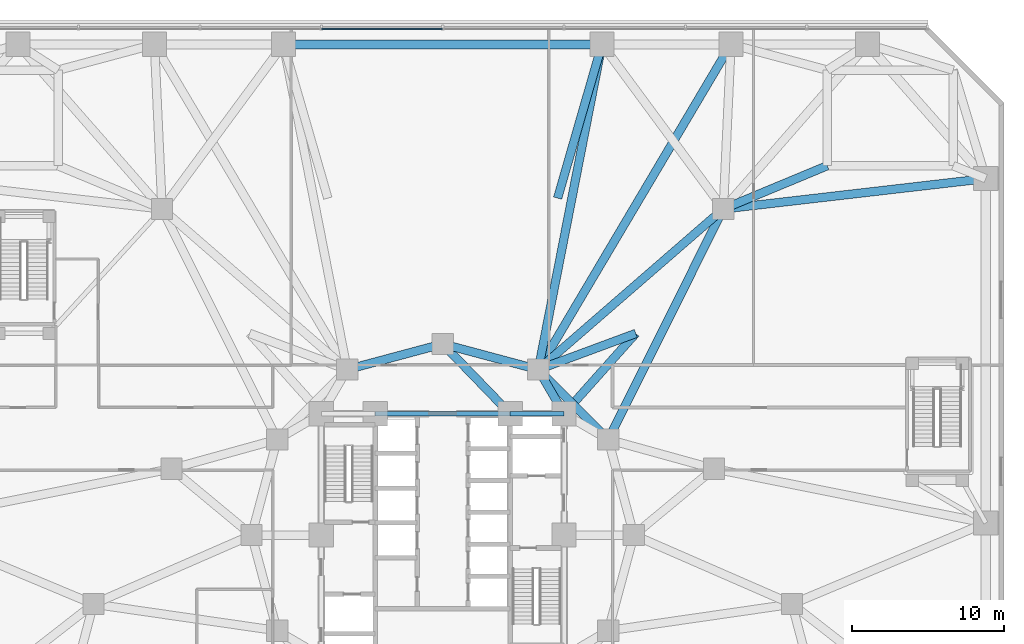
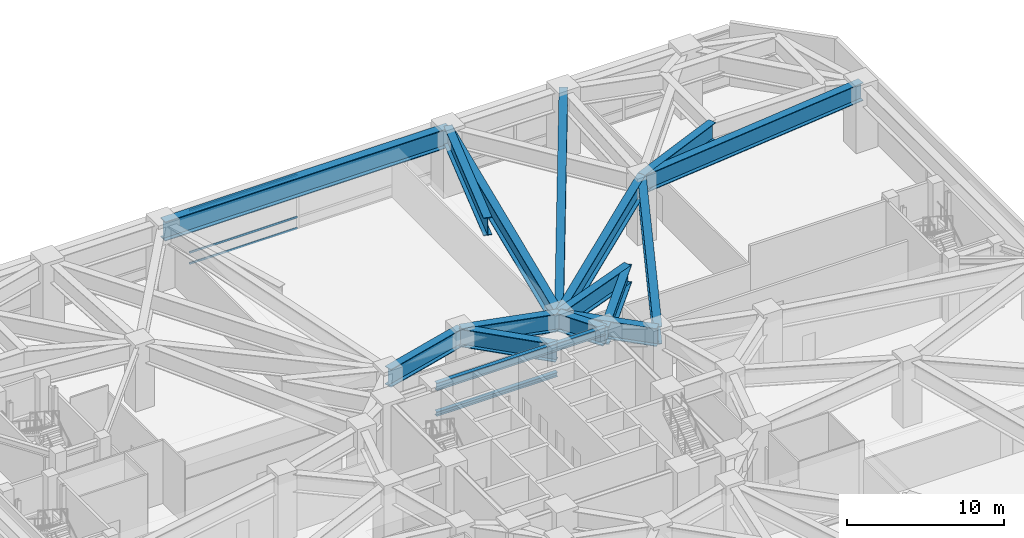
# One storey, part 10 of 27: 18 beams, 3 members, 1 element without a shape of its own.
"""IFC4 building model written with IfcOpenShell, lengths in metres."""

from ifc_helpers import new_model, si_unit, direction, frame, origin, origin_2d, place, context, subcontext, project, spatial, rectangle, i_section, extrude, material, layer, layer_set, material_profile, profile_set, type_object, element, aggregate, save


model = new_model("IFC4")

# Units and contexts
model_context = context("Model", 3, precision=1e-05, world=origin(), true_north=direction((0.0, 1.0)))
body_context = subcontext(model_context, "Body", "Model", "MODEL_VIEW")
ifc_project = project(units=[si_unit("LENGTHUNIT", "METRE"), si_unit("AREAUNIT", "SQUARE_METRE"), si_unit("VOLUMEUNIT", "CUBIC_METRE"), si_unit("PLANEANGLEUNIT", "RADIAN"), si_unit("MASSUNIT", "GRAM", prefix="KILO")], contexts=[model_context])

# Site, building, storey
site_placement = place(None, origin())
site = spatial("IfcSite", under=ifc_project, at=site_placement, CompositionType="ELEMENT")
building_placement = place(site_placement, origin())
building = spatial("IfcBuilding", under=site, at=building_placement, Name="Terralouvre Media Tower", CompositionType="ELEMENT")
storey_placement = place(building_placement, frame((0.0, 0.0, 20.800048828125)))
storey = spatial("IfcBuildingStorey", under=building, at=storey_placement, Name="L04", CompositionType="ELEMENT", Elevation=20.800048828125)

# Curtain wall, members
ifc_material_1 = material(Name="Low-iron laminated double glazing with solar-control coating", Category="glass")
ifc_layer = layer(ifc_material_1, 0.1650390625, Name="Podium Broadcast Gallery Glazing CW-01")
ifc_layer_set = layer_set([ifc_layer], Name="Low-iron laminated double glazing with solar-control coating")
curtain_wall_type = type_object("IfcCurtainWallType", Name="Podium Broadcast Gallery Glazing CW-01", PredefinedType="NOTDEFINED", material=ifc_layer_set)
curtain_wall_placement = place(storey_placement, origin())
curtain_wall = element("IfcCurtainWall", 1, at=curtain_wall_placement, inside=storey, type_object=curtain_wall_type, Name="L04 Podium Curtain Wall F4", PredefinedType="NOTDEFINED")
ifc_material_2 = material(Name="Anodised extruded aluminium 6063-T6", Category="aluminium")
ifc_material_profile_1 = material_profile(ifc_material_2, rectangle(XDim=0.074951171875, YDim=0.14990234375, at=origin_2d()), Name="ALU 75x150")
ifc_profile_set_1 = profile_set([ifc_material_profile_1], Name="Anodised extruded aluminium 6063-T6")
member_type = type_object("IfcMemberType", Name="Curtain-Wall Horizontal Transom TR-150", PredefinedType="USERDEFINED", material=ifc_profile_set_1)
member_1_placement = place(storey_placement, frame((-0.03759765625, 33.360107421875, 0.037353515625), z_axis=(-1.0, 0.0, 0.0), x_axis=(0.0, -1.0, 0.0)))
member_1 = element("IfcMember", 2, at=member_1_placement, type_object=member_type, Name="CW-01 transom 5.1", ObjectType="TRANSOM", PredefinedType="USERDEFINED", context=body_context, shape_type="SweptSolid", body=[
    extrude(rectangle(XDim=0.074951171875, YDim=0.14990234375, at=origin_2d()), origin(), (0.0, 0.0, 1.0), 7.9248046875),
])
member_2_placement = place(storey_placement, frame((-0.03759765625, 33.360107421875, 0.89990234375), z_axis=(-1.0, 0.0, 0.0), x_axis=(0.0, -1.0, 0.0)))
member_2 = element("IfcMember", 3, at=member_2_placement, type_object=member_type, Name="CW-01 transom 5.2", ObjectType="TRANSOM", PredefinedType="USERDEFINED", context=body_context, shape_type="SweptSolid", body=[
    extrude(rectangle(XDim=0.074951171875, YDim=0.14990234375, at=origin_2d()), origin(), (0.0, 0.0, 1.0), 7.9248046875),
])
member_3_placement = place(storey_placement, frame((-0.03759765625, 33.360107421875, 4.182373046875), z_axis=(-1.0, 0.0, 0.0), x_axis=(0.0, -1.0, 0.0)))
member_3 = element("IfcMember", 4, at=member_3_placement, type_object=member_type, Name="CW-01 transom 5.3", ObjectType="TRANSOM", PredefinedType="USERDEFINED", context=body_context, shape_type="SweptSolid", body=[
    extrude(rectangle(XDim=0.074951171875, YDim=0.14990234375, at=origin_2d()), origin(), (0.0, 0.0, 1.0), 7.9248046875),
])
aggregate(curtain_wall, [member_1, member_2, member_3])

# Beams
ifc_material_3 = material(Name="Structural steel S355J2", Category="steel")
ifc_material_profile_2 = material_profile(ifc_material_3, i_section(OverallWidth=0.300048828125, OverallDepth=0.340087890625, WebThickness=0.011962890625, FlangeThickness=0.021484375, at=origin_2d()), Name="HEB 340")
ifc_profile_set_2 = profile_set([ifc_material_profile_2], Name="Structural steel S355J2")
beam_type_1 = type_object("IfcBeamType", Name="Opening Lintel Beam LN-340H (HEB 340)", PredefinedType="LINTEL", material=ifc_profile_set_2)
beam_1_placement = place(storey_placement, frame((-4.449951171875, 8.0, 2.52001953125), z_axis=(1.0, 0.0, 0.0), x_axis=(0.0, 1.0, 0.0)))
element("IfcBeam", 5, at=beam_1_placement, inside=storey, type_object=beam_type_1, Name="L04 Core North Portal Lintel LN-07", PredefinedType="LINTEL", context=body_context, shape_type="SweptSolid", body=[
    extrude(i_section(OverallWidth=0.300048828125, OverallDepth=0.340087890625, WebThickness=0.011962890625, FlangeThickness=0.021484375, at=origin_2d()), origin(), (0.0, 0.0, 1.0), 8.89990234375),
])
ifc_material_4 = material(Name="Structural steel S460M", Category="steel")
ifc_material_profile_3 = material_profile(ifc_material_4, i_section(OverallWidth=0.300048828125, OverallDepth=0.60009765625, WebThickness=0.015380859375, FlangeThickness=0.030029296875, at=origin_2d()), Name="HEB 600")
ifc_profile_set_3 = profile_set([ifc_material_profile_3], Name="Structural steel S460M")
beam_type_2 = type_object("IfcBeamType", Name="Primary Floor Girder B-HEB600 (HEB 600)", PredefinedType="BEAM", material=ifc_profile_set_3)
beam_2_placement = place(storey_placement, frame((8.0, 8.0, 4.639892578125), z_axis=(-1.0, 0.0, 0.0), x_axis=(0.0, -1.0, 0.0)))
element("IfcBeam", 6, at=beam_2_placement, inside=storey, type_object=beam_type_2, Name="L04 Framing Beam BM-L04-CPR06", PredefinedType="BEAM", context=body_context, shape_type="SweptSolid", body=[
    extrude(i_section(OverallWidth=0.300048828125, OverallDepth=0.60009765625, WebThickness=0.015380859375, FlangeThickness=0.030029296875, at=origin_2d()), origin(), (0.0, 0.0, 1.0), 3.550048828125),
])
beam_3_placement = place(storey_placement, frame((4.449951171875, 8.0, 4.639892578125), z_axis=(-1.0, 0.0, 0.0), x_axis=(0.0, -1.0, 0.0)))
element("IfcBeam", 7, at=beam_3_placement, inside=storey, type_object=beam_type_2, Name="L04 Framing Beam BM-L04-CPR07", PredefinedType="BEAM", context=body_context, shape_type="SweptSolid", body=[
    extrude(i_section(OverallWidth=0.300048828125, OverallDepth=0.60009765625, WebThickness=0.015380859375, FlangeThickness=0.030029296875, at=origin_2d()), origin(), (0.0, 0.0, 1.0), 8.89990234375),
])
ifc_material_5 = material(Name="Structural steel S460M", Category="steel")
ifc_material_profile_4 = material_profile(ifc_material_5, i_section(OverallWidth=0.56005859375, OverallDepth=1.39990234375, WebThickness=0.031982421875, FlangeThickness=0.050048828125, at=origin_2d()), Name="TG 1400x560")
ifc_profile_set_4 = profile_set([ifc_material_profile_4], Name="Structural steel S460M")
beam_type_3 = type_object("IfcBeamType", Name="Welded Transfer Girder TG-1400 (TG 1400x560)", PredefinedType="USERDEFINED", material=ifc_profile_set_4)
beam_4_placement = place(storey_placement, frame((10.911865234375, 6.300048828125, 4.239990234375), z_axis=(-0.707106781187, 0.707106781187, 0.0), x_axis=(-0.707106781187, -0.707106781187, 0.0)))
element("IfcBeam", 8, at=beam_4_placement, inside=storey, type_object=beam_type_3, Name="L04 Framing Beam BM-L04-MR07", ObjectType="TRANSFER GIRDER", PredefinedType="USERDEFINED", context=body_context, shape_type="SweptSolid", body=[
    extrude(i_section(OverallWidth=0.56005859375, OverallDepth=1.39990234375, WebThickness=0.031982421875, FlangeThickness=0.050048828125, at=origin_2d()), origin(), (0.0, 0.0, 1.0), 6.52197265625),
])
for number, where, z_axis, x_axis, name in (
    (9, (6.300048828125, 10.911865234375, 4.239990234375), (-0.965920481897, 0.258838989821, 0.0), (-0.258838989821, -0.965920481897, 0.0), "L04 Framing Beam BM-L04-MR08"),
    (10, (0.0, 12.60009765625, 4.239990234375), (-0.965920481897, -0.258838989821, 0.0), (0.258838989821, -0.965920481897, 0.0), "L04 Framing Beam BM-L04-MR09"),
):
    element("IfcBeam", number, at=place(storey_placement, frame(where, z_axis=z_axis, x_axis=x_axis)), inside=storey, type_object=beam_type_3, Name=name, ObjectType="TRANSFER GIRDER", PredefinedType="USERDEFINED", context=body_context, shape_type="SweptSolid", body=[
        extrude(i_section(OverallWidth=0.56005859375, OverallDepth=1.39990234375, WebThickness=0.031982421875, FlangeThickness=0.050048828125, at=origin_2d()), origin(), (0.0, 0.0, 1.0), 6.522216796875),
    ])
beam_5_placement = place(storey_placement, frame((8.0, 8.0, 4.239990234375), z_axis=(-0.504172629717, 0.863602894532, 0.0), x_axis=(-0.863602894532, -0.504172629717, 0.0)))
element("IfcBeam", 11, at=beam_5_placement, inside=storey, type_object=beam_type_3, Name="L04 Framing Beam BM-L04-CM08", ObjectType="TRANSFER GIRDER", PredefinedType="USERDEFINED", context=body_context, shape_type="SweptSolid", body=[
    extrude(i_section(OverallWidth=0.56005859375, OverallDepth=1.39990234375, WebThickness=0.031982421875, FlangeThickness=0.050048828125, at=origin_2d()), origin(), (0.0, 0.0, 1.0), 3.371826171875),
])
beam_6_placement = place(storey_placement, frame((4.449951171875, 8.0, 4.239990234375), z_axis=(-0.695279715726, 0.718739255155, 0.0), x_axis=(-0.718739255155, -0.695279715726, 0.0)))
element("IfcBeam", 12, at=beam_6_placement, inside=storey, type_object=beam_type_3, Name="L04 Framing Beam BM-L04-CM09", ObjectType="TRANSFER GIRDER", PredefinedType="USERDEFINED", context=body_context, shape_type="SweptSolid", body=[
    extrude(i_section(OverallWidth=0.56005859375, OverallDepth=1.39990234375, WebThickness=0.031982421875, FlangeThickness=0.050048828125, at=origin_2d()), origin(), (0.0, 0.0, 1.0), 6.400146484375),
])
beam_7_placement = place(storey_placement, frame((6.300048828125, 10.911865234375, 4.239990234375), z_axis=(0.755234116228, 0.65545513171, 0.0), x_axis=(-0.65545513171, 0.755234116228, 0.0)))
element("IfcBeam", 13, at=beam_7_placement, inside=storey, type_object=beam_type_3, Name="L04 Framing Beam BM-L04-PM20M1", ObjectType="TRANSFER GIRDER", PredefinedType="USERDEFINED", context=body_context, shape_type="SweptSolid", body=[
    extrude(i_section(OverallWidth=0.56005859375, OverallDepth=1.39990234375, WebThickness=0.031982421875, FlangeThickness=0.050048828125, at=origin_2d()), origin(), (0.0, 0.0, 1.0), 16.15380859375),
])
beam_8_placement = place(storey_placement, frame((10.911865234375, 6.300048828125, 4.239990234375), z_axis=(0.446655925193, 0.894705808906, 0.0), x_axis=(-0.894705808906, 0.446655925193, 0.0)))
element("IfcBeam", 14, at=beam_8_placement, inside=storey, type_object=beam_type_3, Name="L04 Framing Beam BM-L04-PM20M2", ObjectType="TRANSFER GIRDER", PredefinedType="USERDEFINED", context=body_context, shape_type="SweptSolid", body=[
    extrude(i_section(OverallWidth=0.56005859375, OverallDepth=1.39990234375, WebThickness=0.031982421875, FlangeThickness=0.050048828125, at=origin_2d()), origin(), (0.0, 0.0, 1.0), 16.98876953125),
])
beam_9_placement = place(storey_placement, frame((18.5, 21.5, 4.239990234375), z_axis=(0.993383801046, 0.114841733791, 0.0), x_axis=(-0.114841733791, 0.993383801046, 0.0)))
element("IfcBeam", 15, at=beam_9_placement, inside=storey, type_object=beam_type_3, Name="L04 Framing Beam BM-L04-RD10", ObjectType="TRANSFER GIRDER", PredefinedType="USERDEFINED", context=body_context, shape_type="SweptSolid", body=[
    extrude(i_section(OverallWidth=0.56005859375, OverallDepth=1.39990234375, WebThickness=0.031982421875, FlangeThickness=0.050048828125, at=origin_2d()), origin(), (0.0, 0.0, 1.0), 17.415283203125),
])
beam_10_placement = place(storey_placement, frame((6.300048828125, 10.911865234375, 4.239990234375), z_axis=(0.509678035934, 0.860365212969, 0.0), x_axis=(-0.860365212969, 0.509678035934, 0.0)))
element("IfcBeam", 16, at=beam_10_placement, inside=storey, type_object=beam_type_3, Name="L04 Framing Beam BM-L04-RD12", ObjectType="TRANSFER GIRDER", PredefinedType="USERDEFINED", context=body_context, shape_type="SweptSolid", body=[
    extrude(i_section(OverallWidth=0.56005859375, OverallDepth=1.39990234375, WebThickness=0.031982421875, FlangeThickness=0.050048828125, at=origin_2d()), origin(), (0.0, 0.0, 1.0), 24.91748046875),
])
beam_11_placement = place(storey_placement, frame((6.300048828125, 10.911865234375, 4.239990234375), z_axis=(0.192254717948, 0.981345058288, 0.0), x_axis=(-0.981345058288, 0.192254717948, 0.0)))
element("IfcBeam", 17, at=beam_11_placement, inside=storey, type_object=beam_type_3, Name="L04 Framing Beam BM-L04-RD13", ObjectType="TRANSFER GIRDER", PredefinedType="USERDEFINED", context=body_context, shape_type="SweptSolid", body=[
    extrude(i_section(OverallWidth=0.56005859375, OverallDepth=1.39990234375, WebThickness=0.031982421875, FlangeThickness=0.050048828125, at=origin_2d()), origin(), (0.0, 0.0, 1.0), 21.845703125),
])
beam_12_placement = place(storey_placement, frame((12.724853515625, 13.29345703125, 4.239990234375), z_axis=(-0.937652019179, -0.347575446386, 0.0), x_axis=(0.347575446386, -0.937652019179, 0.0)))
element("IfcBeam", 18, at=beam_12_placement, inside=storey, type_object=beam_type_3, Name="L04 Framing Beam BM-L04-TR05S1", ObjectType="TRANSFER GIRDER", PredefinedType="USERDEFINED", context=body_context, shape_type="SweptSolid", body=[
    extrude(i_section(OverallWidth=0.56005859375, OverallDepth=1.39990234375, WebThickness=0.031982421875, FlangeThickness=0.050048828125, at=origin_2d()), origin(), (0.0, 0.0, 1.0), 6.85205078125),
])
beam_13_placement = place(storey_placement, frame((12.724853515625, 13.29345703125, 4.239990234375), z_axis=(-0.665902255991, -0.746038997282, 0.0), x_axis=(0.746038997282, -0.665902255991, 0.0)))
element("IfcBeam", 19, at=beam_13_placement, inside=storey, type_object=beam_type_3, Name="L04 Framing Beam BM-L04-TR05S2", ObjectType="TRANSFER GIRDER", PredefinedType="USERDEFINED", context=body_context, shape_type="SweptSolid", body=[
    extrude(i_section(OverallWidth=0.56005859375, OverallDepth=1.39990234375, WebThickness=0.031982421875, FlangeThickness=0.050048828125, at=origin_2d()), origin(), (0.0, 0.0, 1.0), 7.095458984375),
])
beam_14_placement = place(storey_placement, frame((7.574951171875, 22.21337890625, 4.239990234375), z_axis=(0.277247745477, 0.960798463585, 0.0), x_axis=(-0.960798463585, 0.277247745477, 0.0)))
element("IfcBeam", 20, at=beam_14_placement, inside=storey, type_object=beam_type_3, Name="L04 Framing Beam BM-L04-TR06F1", ObjectType="TRANSFER GIRDER", PredefinedType="USERDEFINED", context=body_context, shape_type="SweptSolid", body=[
    extrude(i_section(OverallWidth=0.56005859375, OverallDepth=1.39990234375, WebThickness=0.031982421875, FlangeThickness=0.050048828125, at=origin_2d()), origin(), (0.0, 0.0, 1.0), 10.55029296875),
])
beam_15_placement = place(storey_placement, frame((25.35009765625, 24.35009765625, 4.239990234375), z_axis=(-0.923273458917, -0.384143358735, 0.0), x_axis=(0.384143358735, -0.923273458917, 0.0)))
element("IfcBeam", 21, at=beam_15_placement, inside=storey, type_object=beam_type_3, Name="L04 Framing Beam BM-L04-TR21S1", ObjectType="TRANSFER GIRDER", PredefinedType="USERDEFINED", context=body_context, shape_type="SweptSolid", body=[
    extrude(i_section(OverallWidth=0.56005859375, OverallDepth=1.39990234375, WebThickness=0.031982421875, FlangeThickness=0.050048828125, at=origin_2d()), origin(), (0.0, 0.0, 1.0), 7.41943359375),
])
ifc_material_6 = material(Name="Structural steel S460M", Category="steel")
ifc_material_profile_5 = material_profile(ifc_material_6, i_section(OverallWidth=0.60009765625, OverallDepth=1.5, WebThickness=0.033935546875, FlangeThickness=0.054931640625, at=origin_2d()), Name="PG 1500x600")
ifc_profile_set_5 = profile_set([ifc_material_profile_5], Name="Structural steel S460M")
beam_type_4 = type_object("IfcBeamType", Name="Welded Transfer Girder TG-1500 (PG 1500x600)", PredefinedType="USERDEFINED", material=ifc_profile_set_5)
beam_16_placement = place(storey_placement, frame((10.5, 32.35009765625, 4.18994140625), z_axis=(-1.0, 0.0, 0.0), x_axis=(0.0, -1.0, 0.0)))
element("IfcBeam", 22, at=beam_16_placement, inside=storey, type_object=beam_type_4, Name="L04 Framing Beam BM-L04-PR13", ObjectType="TRANSFER GIRDER", PredefinedType="USERDEFINED", context=body_context, shape_type="SweptSolid", body=[
    extrude(i_section(OverallWidth=0.60009765625, OverallDepth=1.5, WebThickness=0.033935546875, FlangeThickness=0.054931640625, at=origin_2d()), origin(), (0.0, 0.0, 1.0), 21.0),
])

save(model, "model.ifc")
